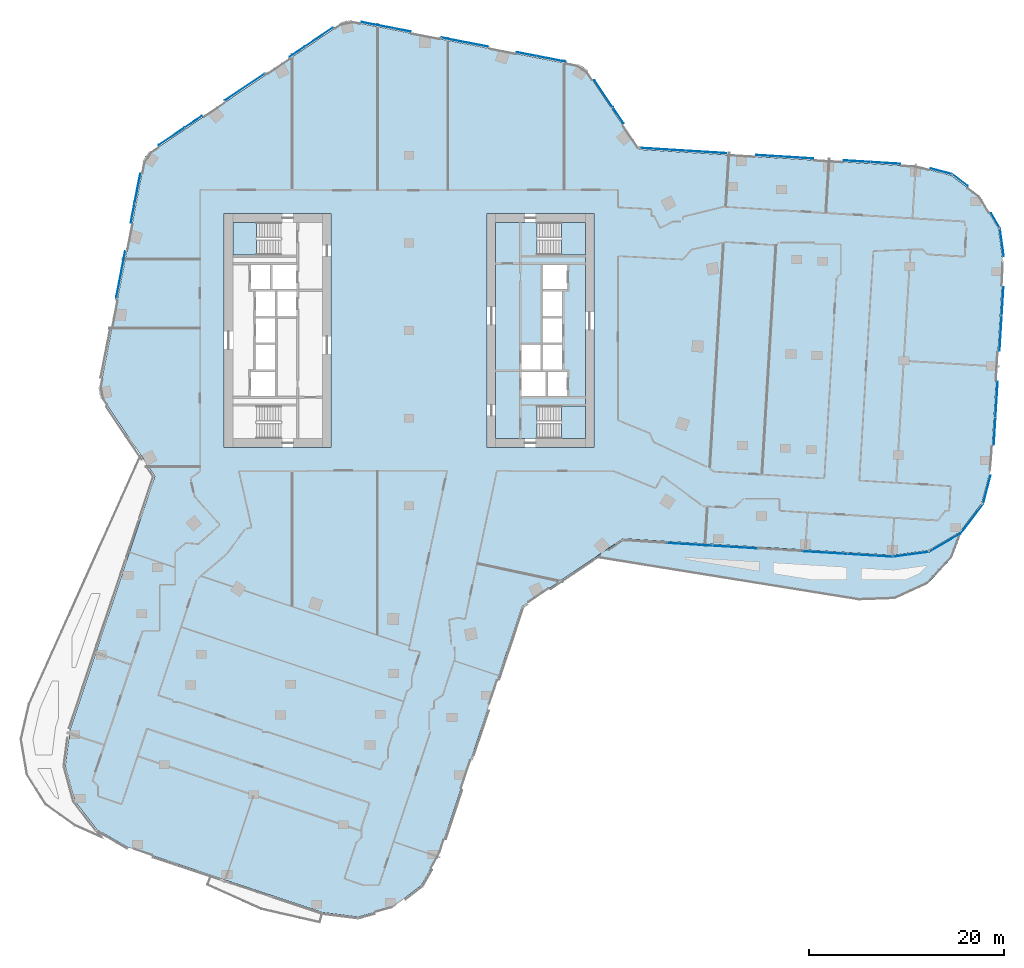
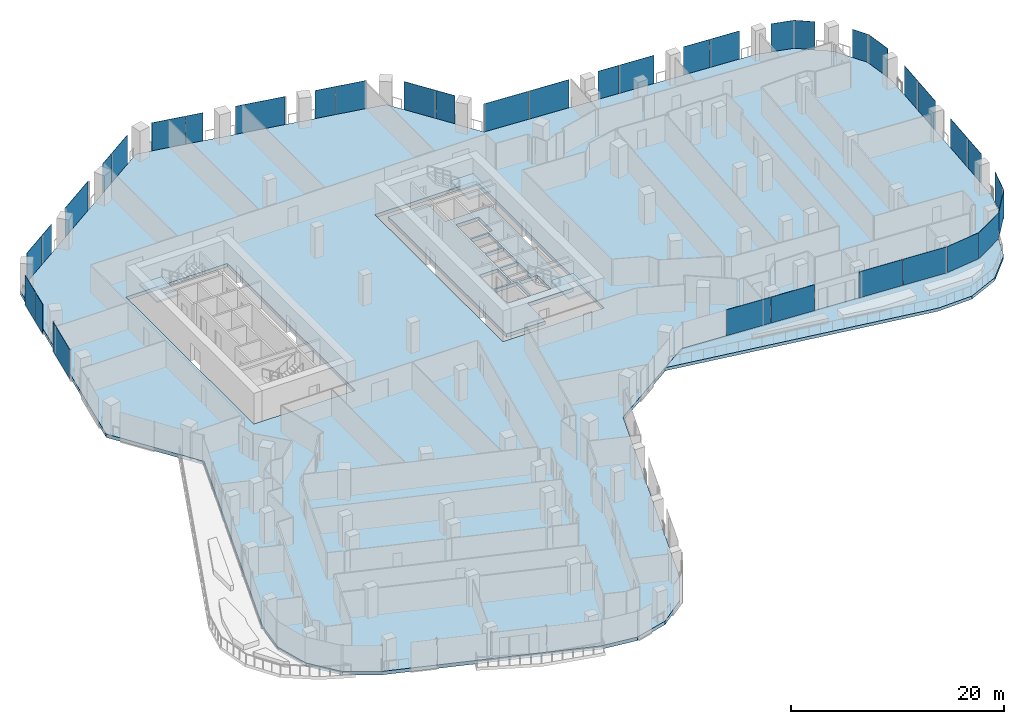
# One storey, part 20 of 34: 37 plates, 6 slabs, 18 elements without a shape of their own.
"""IFC4 building model written with IfcOpenShell, lengths in metres."""

from ifc_helpers import new_model, si_unit, direction, frame, origin, origin_2d, place, context, subcontext, project, spatial, polyline, rectangle, outline, extrude, material, layer, layer_set, type_object, element, aggregate, save


model = new_model("IFC4")

# Units and contexts
model_context = context("Model", 3, precision=1e-05, world=origin(), true_north=direction((0.0, 1.0)))
body_context = subcontext(model_context, "Body", "Model", "MODEL_VIEW")
ifc_project = project(units=[si_unit("LENGTHUNIT", "METRE"), si_unit("AREAUNIT", "SQUARE_METRE"), si_unit("VOLUMEUNIT", "CUBIC_METRE"), si_unit("PLANEANGLEUNIT", "RADIAN"), si_unit("MASSUNIT", "GRAM", prefix="KILO")], contexts=[model_context])

# Site, building, storey
site_placement = place(None, origin())
site = spatial("IfcSite", under=ifc_project, at=site_placement, CompositionType="ELEMENT")
building_placement = place(site_placement, origin())
building = spatial("IfcBuilding", under=site, at=building_placement, Name="Orlundy Tower", CompositionType="ELEMENT")
storey_placement = place(building_placement, frame((0.0, 0.0, 145.60009765625)))
storey = spatial("IfcBuildingStorey", under=building, at=storey_placement, Name="L37", CompositionType="ELEMENT", Elevation=145.60009765625)

# Curtain wall, plates
ifc_material_1 = material(Name="Aluminium bronze anodised", Category="aluminium")
curtain_wall_type = type_object("IfcCurtainWallType", Name="CW1 wall", PredefinedType="NOTDEFINED", material=ifc_material_1)
curtain_wall_1_placement = place(storey_placement, origin())
curtain_wall_1 = element("IfcCurtainWall", 1, at=curtain_wall_1_placement, inside=storey, type_object=curtain_wall_type, Name="CW1 run 00", PredefinedType="NOTDEFINED")
ifc_material_2 = material(Name="Tinted glass", Category="glass")
ifc_layer_1 = layer(ifc_material_2, 0.031982421875)
ifc_layer_set_1 = layer_set([ifc_layer_1], Name="CW1 glass panel 32")
plate_type = type_object("IfcPlateType", Name="CW1 glass panel 32", PredefinedType="CURTAIN_PANEL", material=ifc_layer_set_1)
plate_1_placement = place(storey_placement, frame((47.37109375, -23.098876953125, 0.119873046875), z_axis=(0.0, 0.0, 1.0), x_axis=(-0.998135153221, 0.061042738341, 0.0)))
plate_1 = element("IfcPlate", 2, at=plate_1_placement, type_object=plate_type, Name="CW1 panel", PredefinedType="CURTAIN_PANEL", context=body_context, shape_type="SweptSolid", body=[
    extrude(rectangle(XDim=4.5966796875, YDim=0.031982421875, at=origin_2d()), origin(), (0.0, 0.0, 1.0), 2.97998046875),
])
plate_2_placement = place(storey_placement, frame((42.740966796875, -22.815673828125, 0.119873046875), z_axis=(0.0, 0.0, 1.0), x_axis=(-0.998135153221, 0.061042738341, 0.0)))
plate_2 = element("IfcPlate", 3, at=plate_2_placement, type_object=plate_type, Name="CW1 panel", PredefinedType="CURTAIN_PANEL", context=body_context, shape_type="SweptSolid", body=[
    extrude(rectangle(XDim=4.58056640625, YDim=0.031982421875, at=origin_2d()), origin(), (0.0, 0.0, 1.0), 2.97998046875),
])
plate_3_placement = place(storey_placement, frame((33.4970703125, -22.250244140625, 0.119873046875), z_axis=(0.0, 0.0, 1.0), x_axis=(-0.998135153221, 0.061042738341, 0.0)))
plate_3 = element("IfcPlate", 4, at=plate_3_placement, type_object=plate_type, Name="CW1 panel", PredefinedType="CURTAIN_PANEL", context=body_context, shape_type="SweptSolid", body=[
    extrude(rectangle(XDim=4.58056640625, YDim=0.031982421875, at=origin_2d()), origin(), (0.0, 0.0, 1.0), 2.97998046875),
])
plate_4_placement = place(storey_placement, frame((28.875, -21.9677734375, 0.119873046875), z_axis=(0.0, 0.0, 1.0), x_axis=(-0.998135153221, 0.061042738341, 0.0)))
plate_4 = element("IfcPlate", 5, at=plate_4_placement, type_object=plate_type, Name="CW1 panel", PredefinedType="CURTAIN_PANEL", context=body_context, shape_type="SweptSolid", body=[
    extrude(rectangle(XDim=4.58056640625, YDim=0.031982421875, at=origin_2d()), origin(), (0.0, 0.0, 1.0), 2.97998046875),
])
aggregate(curtain_wall_1, [plate_1, plate_2, plate_3, plate_4])

curtain_wall_2_placement = place(storey_placement, origin())
curtain_wall_2 = element("IfcCurtainWall", 6, at=curtain_wall_2_placement, inside=storey, type_object=curtain_wall_type, Name="CW1 run 014", PredefinedType="NOTDEFINED")
plate_5_placement = place(storey_placement, frame((-29.615234375, 5.728759765625, -0.280029296875), z_axis=(0.0, 0.0, 1.0), x_axis=(0.19080503976, 0.981627952333, 0.0)))
plate_5 = element("IfcPlate", 7, at=plate_5_placement, type_object=plate_type, Name="CW1 panel", PredefinedType="CURTAIN_PANEL", context=body_context, shape_type="SweptSolid", body=[
    extrude(rectangle(XDim=4.866455078125, YDim=0.031982421875, at=origin_2d()), origin(), (0.0, 0.0, 1.0), 3.3798828125),
])
plate_6_placement = place(storey_placement, frame((-28.384521484375, 12.06005859375, -0.280029296875), z_axis=(0.0, 0.0, 1.0), x_axis=(0.19080503976, 0.981627952333, 0.0)))
plate_6 = element("IfcPlate", 8, at=plate_6_placement, type_object=plate_type, Name="CW1 panel", PredefinedType="CURTAIN_PANEL", context=body_context, shape_type="SweptSolid", body=[
    extrude(rectangle(XDim=2.015869140625, YDim=0.031982421875, at=origin_2d()), origin(), (0.0, 0.0, 1.0), 3.3798828125),
])
plate_7_placement = place(storey_placement, frame((-27.8935546875, 14.5859375, -0.280029296875), z_axis=(0.0, 0.0, 1.0), x_axis=(0.19080503976, 0.981627952333, 0.0)))
plate_7 = element("IfcPlate", 9, at=plate_7_placement, type_object=plate_type, Name="CW1 panel", PredefinedType="CURTAIN_PANEL", context=body_context, shape_type="SweptSolid", body=[
    extrude(rectangle(XDim=3.030029296875, YDim=0.031982421875, at=origin_2d()), origin(), (0.0, 0.0, 1.0), 3.3798828125),
])
aggregate(curtain_wall_2, [plate_5, plate_6, plate_7])

curtain_wall_3_placement = place(storey_placement, origin())
curtain_wall_3 = element("IfcCurtainWall", 10, at=curtain_wall_3_placement, inside=storey, type_object=curtain_wall_type, Name="CW1 run 015", PredefinedType="NOTDEFINED")
plate_8_placement = place(storey_placement, frame((-24.380615234375, 19.939208984375, -0.280029296875), z_axis=(0.0, 0.0, 1.0), x_axis=(0.829029616512, 0.559204698608, 0.0)))
plate_8 = element("IfcPlate", 11, at=plate_8_placement, type_object=plate_type, Name="CW1 panel", PredefinedType="CURTAIN_PANEL", context=body_context, shape_type="SweptSolid", body=[
    extrude(rectangle(XDim=3.16259765625, YDim=0.031982421875, at=origin_2d()), origin(), (0.0, 0.0, 1.0), 3.3798828125),
])
plate_9_placement = place(storey_placement, frame((-22.155517578125, 21.440185546875, -0.280029296875), z_axis=(0.0, 0.0, 1.0), x_axis=(0.829029616512, 0.559204698608, 0.0)))
plate_9 = element("IfcPlate", 12, at=plate_9_placement, type_object=plate_type, Name="CW1 panel", PredefinedType="CURTAIN_PANEL", context=body_context, shape_type="SweptSolid", body=[
    extrude(rectangle(XDim=2.10546875, YDim=0.031982421875, at=origin_2d()), origin(), (0.0, 0.0, 1.0), 3.3798828125),
])
plate_10_placement = place(storey_placement, frame((-16.86767578125, 25.007080078125, -0.280029296875), z_axis=(0.0, 0.0, 1.0), x_axis=(0.829029616512, 0.559204698608, 0.0)))
plate_10 = element("IfcPlate", 13, at=plate_10_placement, type_object=plate_type, Name="CW1 panel", PredefinedType="CURTAIN_PANEL", context=body_context, shape_type="SweptSolid", body=[
    extrude(rectangle(XDim=4.920654296875, YDim=0.031982421875, at=origin_2d()), origin(), (0.0, 0.0, 1.0), 3.3798828125),
])
plate_11_placement = place(storey_placement, frame((-11.4794921875, 28.6416015625, -0.280029296875), z_axis=(0.0, 0.0, 1.0), x_axis=(0.829029616512, 0.559204698608, 0.0)))
plate_11 = element("IfcPlate", 14, at=plate_11_placement, type_object=plate_type, Name="CW1 panel", PredefinedType="CURTAIN_PANEL", context=body_context, shape_type="SweptSolid", body=[
    extrude(rectangle(XDim=1.863037109375, YDim=0.031982421875, at=origin_2d()), origin(), (0.0, 0.0, 1.0), 3.3798828125),
])
plate_12_placement = place(storey_placement, frame((-9.25048828125, 30.14501953125, -0.280029296875), z_axis=(0.0, 0.0, 1.0), x_axis=(0.829029616512, 0.559204698608, 0.0)))
plate_12 = element("IfcPlate", 15, at=plate_12_placement, type_object=plate_type, Name="CW1 panel", PredefinedType="CURTAIN_PANEL", context=body_context, shape_type="SweptSolid", body=[
    extrude(rectangle(XDim=3.41455078125, YDim=0.031982421875, at=origin_2d()), origin(), (0.0, 0.0, 1.0), 3.3798828125),
])
aggregate(curtain_wall_3, [plate_8, plate_9, plate_10, plate_11, plate_12])

curtain_wall_4_placement = place(storey_placement, origin())
curtain_wall_4 = element("IfcCurtainWall", 16, at=curtain_wall_4_placement, inside=storey, type_object=curtain_wall_type, Name="CW1 run 016", PredefinedType="NOTDEFINED")
plate_13_placement = place(storey_placement, frame((-3.220458984375, 31.354736328125, -0.280029296875), z_axis=(0.0, 0.0, 1.0), x_axis=(0.981627952333, -0.19080503976, 0.0)))
plate_13 = element("IfcPlate", 17, at=plate_13_placement, type_object=plate_type, Name="CW1 panel", PredefinedType="CURTAIN_PANEL", context=body_context, shape_type="SweptSolid", body=[
    extrude(rectangle(XDim=3.326171875, YDim=0.031982421875, at=origin_2d()), origin(), (0.0, 0.0, 1.0), 3.3798828125),
])
plate_14_placement = place(storey_placement, frame((-0.6953125, 30.86376953125, -0.280029296875), z_axis=(0.0, 0.0, 1.0), x_axis=(0.981627952333, -0.19080503976, 0.0)))
plate_14 = element("IfcPlate", 18, at=plate_14_placement, type_object=plate_type, Name="CW1 panel", PredefinedType="CURTAIN_PANEL", context=body_context, shape_type="SweptSolid", body=[
    extrude(rectangle(XDim=1.718994140625, YDim=0.031982421875, at=origin_2d()), origin(), (0.0, 0.0, 1.0), 3.3798828125),
])
plate_15_placement = place(storey_placement, frame((5.728759765625, 29.615234375, -0.280029296875), z_axis=(0.0, 0.0, 1.0), x_axis=(0.981627952333, -0.19080503976, 0.0)))
plate_15 = element("IfcPlate", 19, at=plate_15_placement, type_object=plate_type, Name="CW1 panel", PredefinedType="CURTAIN_PANEL", context=body_context, shape_type="SweptSolid", body=[
    extrude(rectangle(XDim=4.866455078125, YDim=0.031982421875, at=origin_2d()), origin(), (0.0, 0.0, 1.0), 3.3798828125),
])
plate_16_placement = place(storey_placement, frame((12.06005859375, 28.384521484375, -0.280029296875), z_axis=(0.0, 0.0, 1.0), x_axis=(0.981627952333, -0.19080503976, 0.0)))
plate_16 = element("IfcPlate", 20, at=plate_16_placement, type_object=plate_type, Name="CW1 panel", PredefinedType="CURTAIN_PANEL", context=body_context, shape_type="SweptSolid", body=[
    extrude(rectangle(XDim=2.015869140625, YDim=0.031982421875, at=origin_2d()), origin(), (0.0, 0.0, 1.0), 3.3798828125),
])
plate_17_placement = place(storey_placement, frame((14.5859375, 27.8935546875, -0.280029296875), z_axis=(0.0, 0.0, 1.0), x_axis=(0.981627952333, -0.19080503976, 0.0)))
plate_17 = element("IfcPlate", 21, at=plate_17_placement, type_object=plate_type, Name="CW1 panel", PredefinedType="CURTAIN_PANEL", context=body_context, shape_type="SweptSolid", body=[
    extrude(rectangle(XDim=3.030029296875, YDim=0.031982421875, at=origin_2d()), origin(), (0.0, 0.0, 1.0), 3.3798828125),
])
aggregate(curtain_wall_4, [plate_13, plate_14, plate_15, plate_16, plate_17])

curtain_wall_5_placement = place(storey_placement, origin())
curtain_wall_5 = element("IfcCurtainWall", 22, at=curtain_wall_5_placement, inside=storey, type_object=curtain_wall_type, Name="CW1 run 017", PredefinedType="NOTDEFINED")
plate_18_placement = place(storey_placement, frame((19.980712890625, 24.3193359375, -0.280029296875), z_axis=(0.0, 0.0, 1.0), x_axis=(0.559222860538, -0.829017365471, 0.0)))
plate_18 = element("IfcPlate", 23, at=plate_18_placement, type_object=plate_type, Name="CW1 panel", PredefinedType="CURTAIN_PANEL", context=body_context, shape_type="SweptSolid", body=[
    extrude(rectangle(XDim=3.310791015625, YDim=0.031982421875, at=origin_2d()), origin(), (0.0, 0.0, 1.0), 3.3798828125),
])
plate_19_placement = place(storey_placement, frame((21.481689453125, 22.093994140625, -0.280029296875), z_axis=(0.0, 0.0, 1.0), x_axis=(0.559222860538, -0.829017365471, 0.0)))
plate_19 = element("IfcPlate", 24, at=plate_19_placement, type_object=plate_type, Name="CW1 panel", PredefinedType="CURTAIN_PANEL", context=body_context, shape_type="SweptSolid", body=[
    extrude(rectangle(XDim=1.95751953125, YDim=0.031982421875, at=origin_2d()), origin(), (0.0, 0.0, 1.0), 3.3798828125),
])
aggregate(curtain_wall_5, [plate_18, plate_19])

curtain_wall_6_placement = place(storey_placement, origin())
curtain_wall_6 = element("IfcCurtainWall", 25, at=curtain_wall_6_placement, inside=storey, type_object=curtain_wall_type, Name="CW1 run 018", PredefinedType="NOTDEFINED")
plate_20_placement = place(storey_placement, frame((26.05810546875, 18.60791015625, -0.280029296875), z_axis=(0.0, 0.0, 1.0), x_axis=(0.998134478615, -0.061053768107, 0.0)))
plate_20 = element("IfcPlate", 26, at=plate_20_placement, type_object=plate_type, Name="CW1 panel", PredefinedType="CURTAIN_PANEL", context=body_context, shape_type="SweptSolid", body=[
    extrude(rectangle(XDim=4.6494140625, YDim=0.031982421875, at=origin_2d()), origin(), (0.0, 0.0, 1.0), 3.3798828125),
])
plate_21_placement = place(storey_placement, frame((30.512451171875, 18.33544921875, -0.280029296875), z_axis=(0.0, 0.0, 1.0), x_axis=(0.998134478615, -0.061053768107, 0.0)))
plate_21 = element("IfcPlate", 27, at=plate_21_placement, type_object=plate_type, Name="CW1 panel", PredefinedType="CURTAIN_PANEL", context=body_context, shape_type="SweptSolid", body=[
    extrude(rectangle(XDim=4.175537109375, YDim=0.031982421875, at=origin_2d()), origin(), (0.0, 0.0, 1.0), 3.3798828125),
])
plate_22_placement = place(storey_placement, frame((36.7607421875, 17.953125, -0.280029296875), z_axis=(0.0, 0.0, 1.0), x_axis=(0.998134478615, -0.061053768107, 0.0)))
plate_22 = element("IfcPlate", 28, at=plate_22_placement, type_object=plate_type, Name="CW1 panel", PredefinedType="CURTAIN_PANEL", context=body_context, shape_type="SweptSolid", body=[
    extrude(rectangle(XDim=2.22607421875, YDim=0.031982421875, at=origin_2d()), origin(), (0.0, 0.0, 1.0), 3.3798828125),
])
plate_23_placement = place(storey_placement, frame((39.720703125, 17.772216796875, -0.280029296875), z_axis=(0.0, 0.0, 1.0), x_axis=(0.998134478615, -0.061053768107, 0.0)))
plate_23 = element("IfcPlate", 29, at=plate_23_placement, type_object=plate_type, Name="CW1 panel", PredefinedType="CURTAIN_PANEL", context=body_context, shape_type="SweptSolid", body=[
    extrude(rectangle(XDim=3.605224609375, YDim=0.031982421875, at=origin_2d()), origin(), (0.0, 0.0, 1.0), 3.3798828125),
])
plate_24_placement = place(storey_placement, frame((45.995361328125, 17.388427734375, -0.280029296875), z_axis=(0.0, 0.0, 1.0), x_axis=(0.998134478615, -0.061053768107, 0.0)))
plate_24 = element("IfcPlate", 30, at=plate_24_placement, type_object=plate_type, Name="CW1 panel", PredefinedType="CURTAIN_PANEL", context=body_context, shape_type="SweptSolid", body=[
    extrude(rectangle(XDim=2.74365234375, YDim=0.031982421875, at=origin_2d()), origin(), (0.0, 0.0, 1.0), 3.3798828125),
])
plate_25_placement = place(storey_placement, frame((48.931396484375, 17.208740234375, -0.280029296875), z_axis=(0.0, 0.0, 1.0), x_axis=(0.998134478615, -0.061053768107, 0.0)))
plate_25 = element("IfcPlate", 31, at=plate_25_placement, type_object=plate_type, Name="CW1 panel", PredefinedType="CURTAIN_PANEL", context=body_context, shape_type="SweptSolid", body=[
    extrude(rectangle(XDim=3.039794921875, YDim=0.031982421875, at=origin_2d()), origin(), (0.0, 0.0, 1.0), 3.3798828125),
])
aggregate(curtain_wall_6, [plate_20, plate_21, plate_22, plate_23, plate_24, plate_25])

# Curtain wall, plate
curtain_wall_7_placement = place(storey_placement, origin())
curtain_wall_7 = element("IfcCurtainWall", 32, at=curtain_wall_7_placement, inside=storey, type_object=curtain_wall_type, Name="CW1 run 019", PredefinedType="NOTDEFINED")
plate_26_placement = place(storey_placement, frame((54.6904296875, 16.34326171875, -0.280029296875), z_axis=(0.0, 0.0, 1.0), x_axis=(0.967018593616, -0.254705790277, 0.0)))
plate_26 = element("IfcPlate", 33, at=plate_26_placement, type_object=plate_type, Name="CW1 panel", PredefinedType="CURTAIN_PANEL", context=body_context, shape_type="SweptSolid", body=[
    extrude(rectangle(XDim=2.26025390625, YDim=0.031982421875, at=origin_2d()), origin(), (0.0, 0.0, 1.0), 3.3798828125),
])
aggregate(curtain_wall_7, [plate_26])

curtain_wall_8_placement = place(storey_placement, origin())
curtain_wall_8 = element("IfcCurtainWall", 34, at=curtain_wall_8_placement, inside=storey, type_object=curtain_wall_type, Name="CW1 run 020", PredefinedType="NOTDEFINED")
plate_27_placement = place(storey_placement, frame((56.57666015625, 15.452392578125, -0.280029296875), z_axis=(0.0, 0.0, 1.0), x_axis=(0.796131001065, -0.605124308835, 0.0)))
plate_27 = element("IfcPlate", 35, at=plate_27_placement, type_object=plate_type, Name="CW1 panel", PredefinedType="CURTAIN_PANEL", context=body_context, shape_type="SweptSolid", body=[
    extrude(rectangle(XDim=1.992919921875, YDim=0.031982421875, at=origin_2d()), origin(), (0.0, 0.0, 1.0), 3.3798828125),
])
aggregate(curtain_wall_8, [plate_27])

curtain_wall_9_placement = place(storey_placement, origin())
curtain_wall_9 = element("IfcCurtainWall", 36, at=curtain_wall_9_placement, inside=storey, type_object=curtain_wall_type, Name="CW1 run 021", PredefinedType="NOTDEFINED")
plate_28_placement = place(storey_placement, frame((60.24169921875, 11.276611328125, -0.280029296875), z_axis=(0.0, 0.0, 1.0), x_axis=(0.503703269164, -0.863876736944, 0.0)))
plate_28 = element("IfcPlate", 37, at=plate_28_placement, type_object=plate_type, Name="CW1 panel", PredefinedType="CURTAIN_PANEL", context=body_context, shape_type="SweptSolid", body=[
    extrude(rectangle(XDim=1.764404296875, YDim=0.031982421875, at=origin_2d()), origin(), (0.0, 0.0, 1.0), 3.3798828125),
])
aggregate(curtain_wall_9, [plate_28])

curtain_wall_10_placement = place(storey_placement, origin())
curtain_wall_10 = element("IfcCurtainWall", 38, at=curtain_wall_10_placement, inside=storey, type_object=curtain_wall_type, Name="CW1 run 022", PredefinedType="NOTDEFINED")
plate_29_placement = place(storey_placement, frame((60.883544921875, 9.064453125, -0.280029296875), z_axis=(0.0, 0.0, 1.0), x_axis=(0.134884472094, -0.990861331967, 0.0)))
plate_29 = element("IfcPlate", 39, at=plate_29_placement, type_object=plate_type, Name="CW1 panel", PredefinedType="CURTAIN_PANEL", context=body_context, shape_type="SweptSolid", body=[
    extrude(rectangle(XDim=2.9267578125, YDim=0.031982421875, at=origin_2d()), origin(), (0.0, 0.0, 1.0), 3.3798828125),
])
aggregate(curtain_wall_10, [plate_29])

# Curtain wall, plates
curtain_wall_11_placement = place(storey_placement, origin())
curtain_wall_11 = element("IfcCurtainWall", 40, at=curtain_wall_11_placement, inside=storey, type_object=curtain_wall_type, Name="CW1 run 023", PredefinedType="NOTDEFINED")
plate_30_placement = place(storey_placement, frame((60.960693359375, 2.99853515625, -0.280029296875), z_axis=(0.0, 0.0, 1.0), x_axis=(-0.061047131434, -0.998134884544, 0.0)))
plate_30 = element("IfcPlate", 41, at=plate_30_placement, type_object=plate_type, Name="CW1 panel", PredefinedType="CURTAIN_PANEL", context=body_context, shape_type="SweptSolid", body=[
    extrude(rectangle(XDim=2.879150390625, YDim=0.031982421875, at=origin_2d()), origin(), (0.0, 0.0, 1.0), 3.3798828125),
])
plate_31_placement = place(storey_placement, frame((60.76025390625, -0.277099609375, -0.280029296875), z_axis=(0.0, 0.0, 1.0), x_axis=(-0.061047131434, -0.998134884544, 0.0)))
plate_31 = element("IfcPlate", 42, at=plate_31_placement, type_object=plate_type, Name="CW1 panel", PredefinedType="CURTAIN_PANEL", context=body_context, shape_type="SweptSolid", body=[
    extrude(rectangle(XDim=3.58447265625, YDim=0.031982421875, at=origin_2d()), origin(), (0.0, 0.0, 1.0), 3.3798828125),
])
plate_32_placement = place(storey_placement, frame((60.343994140625, -7.083251953125, -0.280029296875), z_axis=(0.0, 0.0, 1.0), x_axis=(-0.061047131434, -0.998134884544, 0.0)))
plate_32 = element("IfcPlate", 43, at=plate_32_placement, type_object=plate_type, Name="CW1 panel", PredefinedType="CURTAIN_PANEL", context=body_context, shape_type="SweptSolid", body=[
    extrude(rectangle(XDim=3.677734375, YDim=0.031982421875, at=origin_2d()), origin(), (0.0, 0.0, 1.0), 3.3798828125),
])
plate_33_placement = place(storey_placement, frame((60.143798828125, -10.3564453125, -0.280029296875), z_axis=(0.0, 0.0, 1.0), x_axis=(-0.061047131434, -0.998134884544, 0.0)))
plate_33 = element("IfcPlate", 44, at=plate_33_placement, type_object=plate_type, Name="CW1 panel", PredefinedType="CURTAIN_PANEL", context=body_context, shape_type="SweptSolid", body=[
    extrude(rectangle(XDim=2.78076171875, YDim=0.031982421875, at=origin_2d()), origin(), (0.0, 0.0, 1.0), 3.3798828125),
])
aggregate(curtain_wall_11, [plate_30, plate_31, plate_32, plate_33])

# Curtain wall, plate
curtain_wall_12_placement = place(storey_placement, origin())
curtain_wall_12 = element("IfcCurtainWall", 45, at=curtain_wall_12_placement, inside=storey, type_object=curtain_wall_type, Name="CW1 run 024", PredefinedType="NOTDEFINED")
plate_34_placement = place(storey_placement, frame((59.333984375, -16.382568359375, -0.280029296875), z_axis=(0.0, 0.0, 1.0), x_axis=(-0.254705790277, -0.967018593616, 0.0)))
plate_34 = element("IfcPlate", 46, at=plate_34_placement, type_object=plate_type, Name="CW1 panel", PredefinedType="CURTAIN_PANEL", context=body_context, shape_type="SweptSolid", body=[
    extrude(rectangle(XDim=2.996337890625, YDim=0.031982421875, at=origin_2d()), origin(), (0.0, 0.0, 1.0), 3.3798828125),
])
aggregate(curtain_wall_12, [plate_34])

curtain_wall_13_placement = place(storey_placement, origin())
curtain_wall_13 = element("IfcCurtainWall", 47, at=curtain_wall_13_placement, inside=storey, type_object=curtain_wall_type, Name="CW1 run 025", PredefinedType="NOTDEFINED")
plate_35_placement = place(storey_placement, frame((57.81103515625, -19.332763671875, 0.119873046875), z_axis=(0.0, 0.0, 1.0), x_axis=(-0.605124308835, -0.796131001065, 0.0)))
plate_35 = element("IfcPlate", 48, at=plate_35_placement, type_object=plate_type, Name="CW1 panel", PredefinedType="CURTAIN_PANEL", context=body_context, shape_type="SweptSolid", body=[
    extrude(rectangle(XDim=3.77197265625, YDim=0.031982421875, at=origin_2d()), origin(), (0.0, 0.0, 1.0), 2.97998046875),
])
aggregate(curtain_wall_13, [plate_35])

curtain_wall_14_placement = place(storey_placement, origin())
curtain_wall_14 = element("IfcCurtainWall", 49, at=curtain_wall_14_placement, inside=storey, type_object=curtain_wall_type, Name="CW1 run 026", PredefinedType="NOTDEFINED")
plate_36_placement = place(storey_placement, frame((55.04052734375, -21.7841796875, 0.119873046875), z_axis=(0.0, 0.0, 1.0), x_axis=(-0.863876736944, -0.503703269164, 0.0)))
plate_36 = element("IfcPlate", 50, at=plate_36_placement, type_object=plate_type, Name="CW1 panel", PredefinedType="CURTAIN_PANEL", context=body_context, shape_type="SweptSolid", body=[
    extrude(rectangle(XDim=3.771728515625, YDim=0.031982421875, at=origin_2d()), origin(), (0.0, 0.0, 1.0), 2.97998046875),
])
aggregate(curtain_wall_14, [plate_36])

curtain_wall_15_placement = place(storey_placement, origin())
curtain_wall_15 = element("IfcCurtainWall", 51, at=curtain_wall_15_placement, inside=storey, type_object=curtain_wall_type, Name="CW1 run 027", PredefinedType="NOTDEFINED")
plate_37_placement = place(storey_placement, frame((51.563232421875, -22.985595703125, 0.119873046875), z_axis=(0.0, 0.0, 1.0), x_axis=(-0.990861331967, -0.134884472094, 0.0)))
plate_37 = element("IfcPlate", 52, at=plate_37_placement, type_object=plate_type, Name="CW1 panel", PredefinedType="CURTAIN_PANEL", context=body_context, shape_type="SweptSolid", body=[
    extrude(rectangle(XDim=3.73046875, YDim=0.031982421875, at=origin_2d()), origin(), (0.0, 0.0, 1.0), 2.97998046875),
])
aggregate(curtain_wall_15, [plate_37])

# Slab
ifc_material_3 = material(Name="Concrete C50/60", Category="concrete")
ifc_layer_2 = layer(ifc_material_3, 0.409912109375)
ifc_layer_set_2 = layer_set([ifc_layer_2], Name="Core Floor Slab 410")
slab_type_1 = type_object("IfcSlabType", Name="Core Floor Slab 410", PredefinedType="FLOOR", material=ifc_layer_set_2)
slab_1_placement = place(storey_placement, frame((0.0, 0.0, -0.41015625)))
element("IfcSlab", 53, at=slab_1_placement, inside=storey, type_object=slab_type_1, Name="Core floor E28", PredefinedType="FLOOR", context=body_context, shape_type="SweptSolid", body=[
    extrude(outline(polyline([(13.14501953125, 11.10009765625), (13.14501953125, 7.75), (18.10009765625, 7.75), (18.10009765625, -7.75), (13.14501953125, -7.75), (13.14501953125, -11.10009765625), (8.89990234375, -11.10009765625), (8.89990234375, 11.10009765625), (13.14501953125, 11.10009765625)]), holes=[polyline([(13.739990234375, 4.22509765625), (16.239990234375, 4.22509765625), (16.239990234375, 6.77490234375), (13.739990234375, 6.77490234375), (13.739990234375, 4.22509765625)]), polyline([(13.739990234375, 4.02490234375), (13.739990234375, 1.47509765625), (15.739990234375, 1.47509765625), (15.739990234375, 4.02490234375), (13.739990234375, 4.02490234375)]), polyline([(15.739990234375, 1.27490234375), (13.739990234375, 1.27490234375), (13.739990234375, -1.27490234375), (15.739990234375, -1.27490234375), (15.739990234375, 1.27490234375)]), polyline([(13.5400390625, -4.02490234375), (13.5400390625, -1.47509765625), (11.5400390625, -1.47509765625), (11.5400390625, -4.02490234375), (13.5400390625, -4.02490234375)]), polyline([(13.739990234375, -4.02490234375), (15.739990234375, -4.02490234375), (15.739990234375, -1.47509765625), (13.739990234375, -1.47509765625), (13.739990234375, -4.02490234375)]), polyline([(11.5400390625, -4.22509765625), (11.5400390625, -6.77490234375), (14.0400390625, -6.77490234375), (14.0400390625, -4.22509765625), (11.5400390625, -4.22509765625)]), polyline([(16.239990234375, -4.22509765625), (14.239990234375, -4.22509765625), (14.239990234375, -6.77490234375), (16.239990234375, -6.77490234375), (16.239990234375, -4.22509765625)])]), origin(), (0.0, 0.0, 1.0), 0.41015625),
])

# Stair, slab
ifc_material_4 = material(Name="Concrete C50/60", Category="concrete")
stair_type = type_object("IfcStairType", Name="Exit Stair 20 risers", PredefinedType="HALF_TURN_STAIR", material=ifc_material_4)
stair_1_placement = place(storey_placement, origin())
stair_1 = element("IfcStair", 54, at=stair_1_placement, inside=storey, type_object=stair_type, Name="L37 Exit Stair ST-W1", PredefinedType="HALF_TURN_STAIR")
ifc_material_5 = material(Name="Concrete C50/60", Category="concrete")
ifc_layer_3 = layer(ifc_material_5, 0.199951171875)
ifc_layer_set_3 = layer_set([ifc_layer_3], Name="Exit Stair Landing")
slab_type_2 = type_object("IfcSlabType", Name="Exit Stair Landing", PredefinedType="LANDING", material=ifc_layer_set_3)
slab_2_placement = place(storey_placement, frame((0.0, 0.0, 1.5498046875)))
slab_2 = element("IfcSlab", 55, at=slab_2_placement, type_object=slab_type_2, Name="ST-W1 landing 1", PredefinedType="LANDING", context=body_context, shape_type="SweptSolid", body=[
    extrude(outline(polyline([(-15.659912109375, 11.10009765625), (-18.10009765625, 11.10009765625), (-18.10009765625, 7.75), (-15.659912109375, 7.75), (-15.659912109375, 11.10009765625)])), origin(), (0.0, 0.0, 1.0), 0.2001953125),
])
aggregate(stair_1, [slab_2])

stair_2_placement = place(storey_placement, origin())
stair_2 = element("IfcStair", 56, at=stair_2_placement, inside=storey, type_object=stair_type, Name="L37 Exit Stair ST-E1", PredefinedType="HALF_TURN_STAIR")
slab_3_placement = place(storey_placement, frame((0.0, 0.0, 1.5498046875)))
slab_3 = element("IfcSlab", 57, at=slab_3_placement, type_object=slab_type_2, Name="ST-E1 landing 1", PredefinedType="LANDING", context=body_context, shape_type="SweptSolid", body=[
    extrude(outline(polyline([(15.659912109375, -11.10009765625), (18.10009765625, -11.10009765625), (18.10009765625, -7.75), (15.659912109375, -7.75), (15.659912109375, -11.10009765625)])), origin(), (0.0, 0.0, 1.0), 0.2001953125),
])
aggregate(stair_2, [slab_3])

stair_3_placement = place(storey_placement, origin())
stair_3 = element("IfcStair", 58, at=stair_3_placement, inside=storey, type_object=stair_type, Name="L37 Exit Stair ST-E2", PredefinedType="HALF_TURN_STAIR")
slab_4_placement = place(storey_placement, frame((0.0, 0.0, 1.5498046875)))
slab_4 = element("IfcSlab", 59, at=slab_4_placement, type_object=slab_type_2, Name="ST-E2 landing 1", PredefinedType="LANDING", context=body_context, shape_type="SweptSolid", body=[
    extrude(outline(polyline([(15.659912109375, 7.75), (18.10009765625, 7.75), (18.10009765625, 11.10009765625), (15.659912109375, 11.10009765625), (15.659912109375, 7.75)])), origin(), (0.0, 0.0, 1.0), 0.2001953125),
])
aggregate(stair_3, [slab_4])

# Slabs
ifc_material_6 = material(Name="Concrete C45/55", Category="concrete")
ifc_layer_4 = layer(ifc_material_6, 0.39990234375)
ifc_layer_set_4 = layer_set([ifc_layer_4], Name="FLOOR SLAB THICK 400 C45/55")
slab_type_3 = type_object("IfcSlabType", Name="FLOOR SLAB THICK 400 C45/55", PredefinedType="FLOOR", material=ifc_layer_set_4)
slab_5_placement = place(storey_placement, frame((0.0, 0.0, -0.400146484375)))
element("IfcSlab", 60, at=slab_5_placement, inside=storey, type_object=slab_type_3, Name="Floor slab L37", PredefinedType="FLOOR", context=body_context, shape_type="SweptSolid", body=[
    extrude(outline(polyline([(21.951904296875, -21.3798828125), (11.60009765625, -28.362060546875), (3.10107421875, -53.761962890625), (1.261962890625, -56.97998046875), (-1.6689453125, -59.25), (-5.2451171875, -60.22509765625), (-8.922119140625, -59.757080078125), (-28.8369140625, -53.093994140625), (-32.054931640625, -51.25390625), (-34.324951171875, -48.322998046875), (-35.299072265625, -44.7470703125), (-34.83203125, -41.070068359375), (-26.095947265625, -14.9599609375), (-31.820068359375, -6.47412109375), (-27.077880859375, 17.922119140625), (-6.47412109375, 31.820068359375), (17.922119140625, 27.077880859375), (23.64697265625, 18.591064453125), (52.1259765625, 16.84912109375), (55.7099609375, 15.905029296875), (58.660888671875, 13.662109375), (60.528076171875, 10.4599609375), (61.028076171875, 6.787109375), (59.74609375, -14.174072265625), (58.802001953125, -17.758056640625), (56.55908203125, -20.708984375), (53.35693359375, -22.575927734375), (49.68408203125, -23.075927734375), (21.951904296875, -21.3798828125)]), holes=[polyline([(-8.0, -12.0), (-8.0, 12.0), (-19.0, 12.0), (-19.0, -12.0), (-8.0, -12.0)]), polyline([(19.0, -12.0), (19.0, 12.0), (8.0, 12.0), (8.0, -12.0), (19.0, -12.0)])]), origin(), (0.0, 0.0, 1.0), 0.400146484375),
])
ifc_material_7 = material(Name="Concrete C45/55", Category="concrete")
ifc_layer_5 = layer(ifc_material_7, 0.35009765625)
ifc_layer_set_5 = layer_set([ifc_layer_5], Name="TERRACE SLAB 350 C45/55")
slab_type_4 = type_object("IfcSlabType", Name="TERRACE SLAB 350 C45/55", PredefinedType="ROOF", material=ifc_layer_set_5)
slab_6_placement = place(storey_placement, frame((0.0, 0.0, -0.35009765625)))
element("IfcSlab", 61, at=slab_6_placement, inside=storey, type_object=slab_type_4, Name="Terrace slab L37-1", PredefinedType="ROOF", context=body_context, shape_type="SweptSolid", body=[
    extrude(outline(polyline([(19.053955078125, -23.3330078125), (21.951904296875, -21.3798828125), (49.68408203125, -23.075927734375), (53.35693359375, -22.575927734375), (56.7958984375, -20.571044921875), (55.77392578125, -23.319091796875), (53.25, -26.032958984375), (49.8798828125, -27.574951171875), (46.175048828125, -27.7099609375), (19.053955078125, -23.3330078125)])), origin(), (0.0, 0.0, 1.0), 0.35009765625),
])

save(model, "model.ifc")
